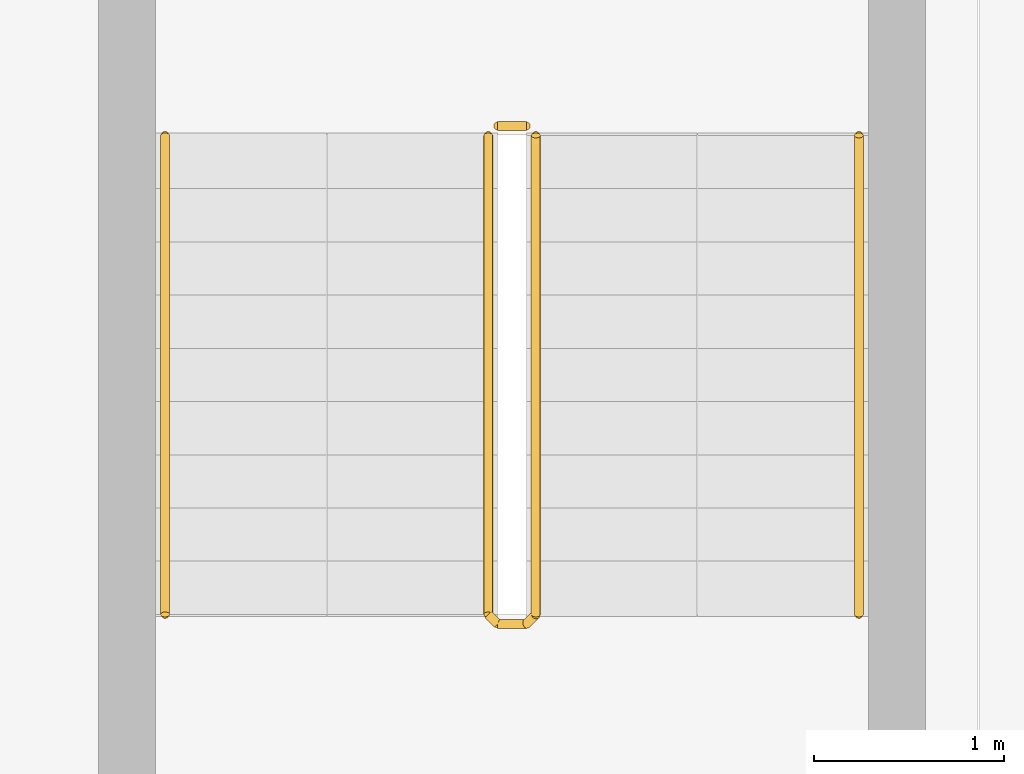
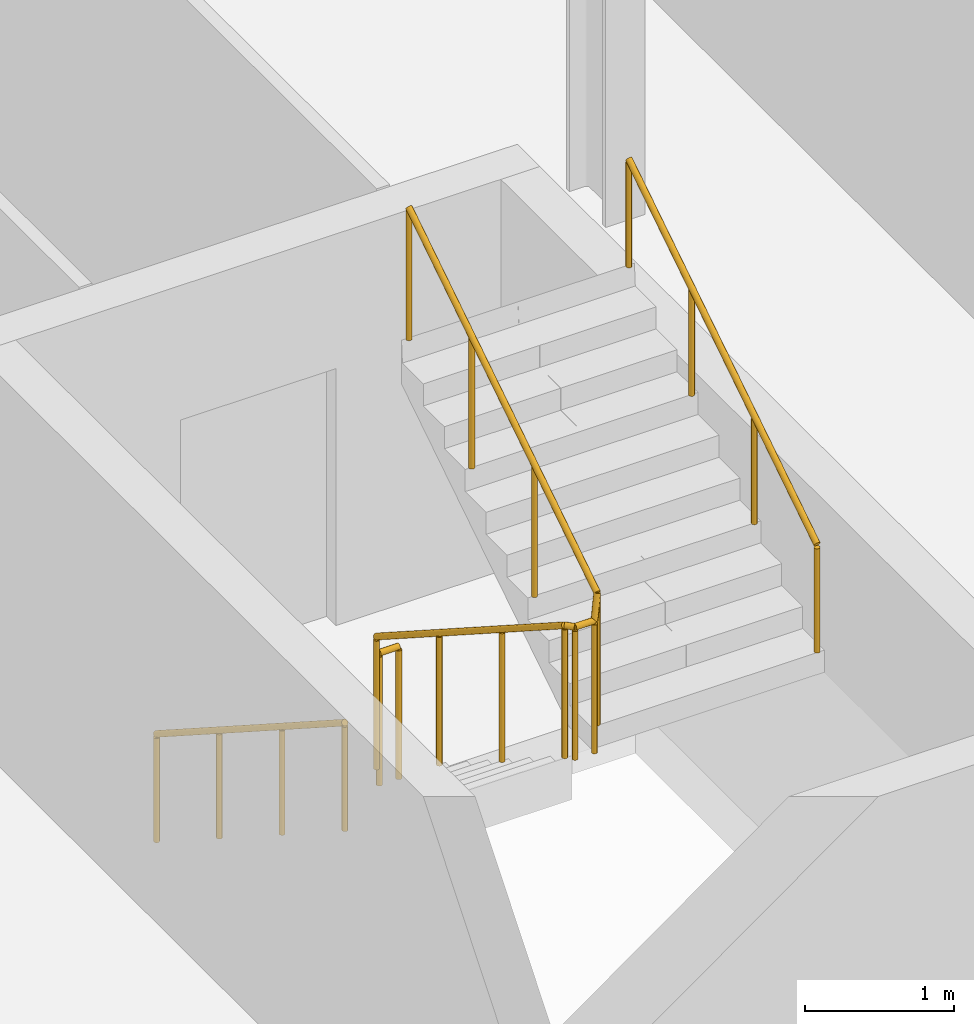
# One storey, part 23 of 25: 4 railings.
"""IFC4 building model written with IfcOpenShell, lengths in metres."""

import ifcopenshell
import ifcopenshell.guid

model = None  # the IFC model being written
_history = None  # IfcOwnerHistory: only IFC2X3 demands one
_inside = {}  # id of a spatial element -> (the spatial element, [elements in it])
_under = {}  # id of a project, library or spatial element -> (it, [spatial elements below it])
_declared = {}  # id of a project -> (the project, [libraries it declares])
_typed = {}  # id of a type object -> (the type object, [elements of that type])
_made_of = {}  # id of a material, layer set ... -> (it, [elements and type objects made of it])


def new_model(schema):
    """Start an empty IFC model of exactly this schema.

    Asked for "IFC4X3", IfcOpenShell would pick the latest addendum, in which some entities
    have other attributes; the version numbers below select the first issue.
    IFC2X3 requires an IfcOwnerHistory on every rooted entity: one is made here for all.
    """
    global model, _history
    if schema == "IFC4X3":
        model = ifcopenshell.file(schema_version=(4, 3, 0, 0))
    else:
        model = ifcopenshell.file(schema=schema)
    _inside.clear()
    _under.clear()
    _declared.clear()
    _typed.clear()
    _made_of.clear()
    _history = None
    if model.schema == "IFC2X3":
        org = make("IfcOrganization", Name="unknown")
        user = make(
            "IfcPersonAndOrganization",
            ThePerson=make("IfcPerson", FamilyName="unknown"),
            TheOrganization=org,
        )
        app = make(
            "IfcApplication",
            ApplicationDeveloper=org,
            Version="unknown",
            ApplicationFullName="unknown",
            ApplicationIdentifier="unknown",
        )
        _history = make(
            "IfcOwnerHistory",
            OwningUser=user,
            OwningApplication=app,
            ChangeAction="ADDED",
            CreationDate=0,
        )
    return model


def make(cls, **values):
    """One entity of the class cls with the attributes given. An attribute that is None is left unset."""
    return model.create_entity(
        cls, **{name: value for name, value in values.items() if value is not None}
    )


def rooted(cls, **values):
    """An entity with a GlobalId (a new one), such as an element, a storey or a relation."""
    return make(cls, GlobalId=ifcopenshell.guid.new(), OwnerHistory=_history, **values)


def si_unit(unit_type, name, prefix=None):
    """IfcSIUnit, for example si_unit("LENGTHUNIT", "METRE", prefix="MILLI")."""
    return make("IfcSIUnit", UnitType=unit_type, Prefix=prefix, Name=name)


def assignment(units):
    """IfcUnitAssignment: the units of a project."""
    return None if units is None else make("IfcUnitAssignment", Units=units)


def point(xyz):
    """IfcCartesianPoint."""
    return None if xyz is None else make("IfcCartesianPoint", Coordinates=xyz)


def direction(xyz):
    """IfcDirection."""
    return None if xyz is None else make("IfcDirection", DirectionRatios=xyz)


def frame(location, z_axis=None, x_axis=None):
    """IfcAxis2Placement3D, a coordinate frame: its origin and axes. An axis left out is left unset."""
    return make(
        "IfcAxis2Placement3D",
        Location=point(location),
        Axis=direction(z_axis),
        RefDirection=direction(x_axis),
    )


def frame_2d(location, x_axis=None):
    """IfcAxis2Placement2D, a coordinate frame in the plane: its origin and x axis."""
    return make(
        "IfcAxis2Placement2D", Location=point(location), RefDirection=direction(x_axis)
    )


def origin():
    """The frame at (0, 0, 0) with its axes left unset."""
    return frame((0.0, 0.0, 0.0))


def origin_2d():
    """The frame at (0, 0) in the plane with its x axis left unset."""
    return frame_2d((0.0, 0.0))


def place(relative_to, where):
    """IfcLocalPlacement: puts the frame where relative to a parent placement (None: the world)."""
    return make(
        "IfcLocalPlacement", PlacementRelTo=relative_to, RelativePlacement=where
    )


def context(
    kind, dimensions, precision=None, world=None, true_north=None, identifier=None
):
    """IfcGeometricRepresentationContext, for example the 3D "Model" context."""
    return make(
        "IfcGeometricRepresentationContext",
        ContextIdentifier=identifier,
        ContextType=kind,
        CoordinateSpaceDimension=dimensions,
        Precision=precision,
        WorldCoordinateSystem=world,
        TrueNorth=true_north,
    )


def subcontext(parent, identifier, kind, view, scale=None):
    """IfcGeometricRepresentationSubContext, for example "Body" below "Model"."""
    return make(
        "IfcGeometricRepresentationSubContext",
        ContextIdentifier=identifier,
        ContextType=kind,
        ParentContext=parent,
        TargetScale=scale,
        TargetView=view,
    )


def project(units=None, contexts=None):
    """IfcProject with its units and contexts."""
    return rooted(
        "IfcProject",
        Name="project",
        RepresentationContexts=contexts,
        UnitsInContext=assignment(units),
    )


def spatial(cls, under=None, at=None, **own):
    """A site, building, storey or space (cls), placed at a placement, below another one or the project."""
    s = rooted(cls, ObjectPlacement=at, **own)
    if under is not None:
        _under.setdefault(under.id(), (under, []))[1].append(s)
    return s


def profile(cls, at=None, kind="AREA", **sizes):
    """A parametric profile (cls). Its sizes go by their IFC names, for example OverallWidth=200.0."""
    return make(cls, ProfileType=kind, Position=at, **sizes)


def circle(**sizes):
    """IfcCircleProfileDef."""
    return profile("IfcCircleProfileDef", **sizes)


def extrude(swept, where, along, depth):
    """IfcExtrudedAreaSolid: the profile swept, set in the frame where, extruded along a direction by depth."""
    return make(
        "IfcExtrudedAreaSolid",
        SweptArea=swept,
        Position=where,
        ExtrudedDirection=direction(along),
        Depth=depth,
    )


def shape(context_of_items, identifier, shape_type, items):
    """IfcShapeRepresentation: the items that make up one representation, for example the "Body"."""
    return make(
        "IfcShapeRepresentation",
        ContextOfItems=context_of_items,
        RepresentationIdentifier=identifier,
        RepresentationType=shape_type,
        Items=items,
    )


def material(Name=None, Category=None):
    """IfcMaterial."""
    return make("IfcMaterial", Name=Name, Category=Category)


def made_of(thing, what):
    """Note that an element or type object is made of a material, layer set ...; save() writes the relation."""
    if what is not None:
        _made_of.setdefault(what.id(), (what, []))[1].append(thing)
    return thing


def type_object(cls, material=None, **own):
    """A type object (cls), such as IfcWallType, which elements share."""
    return made_of(rooted(cls, **own), material)


def element(
    cls,
    number,
    at=None,
    inside=None,
    cuts=None,
    type_object=None,
    material=None,
    context=None,
    identifier="Body",
    shape_type=None,
    held_by="IfcProductDefinitionShape",
    body=None,
    shapes=None,
    **own,
):
    """One element of the class cls, such as IfcWall. Its Tag is "e" and its number.

    at: its placement. inside: the storey or other place that contains it. cuts: it is an
    opening in that element (IfcRelVoidsElement). A single representation is given by context,
    identifier, shape_type and body (its items); several are given by shapes. held_by: the class
    of the entity that holds the representations. save() writes the other relations.
    """
    e = rooted(cls, Tag="e%d" % number, ObjectPlacement=at, **own)
    if body is not None:
        shapes = [shape(context, identifier, shape_type, body)]
    if shapes is not None:
        e.Representation = make(held_by, Representations=shapes)
    if inside is not None:
        _inside.setdefault(inside.id(), (inside, []))[1].append(e)
    if cuts is not None:
        rooted(
            "IfcRelVoidsElement", RelatingBuildingElement=cuts, RelatedOpeningElement=e
        )
    if type_object is not None:
        _typed.setdefault(type_object.id(), (type_object, []))[1].append(e)
    return made_of(e, material)


def aggregate(whole, parts):
    """IfcRelAggregates: a whole, such as a stair, and the parts it consists of."""
    return rooted("IfcRelAggregates", RelatingObject=whole, RelatedObjects=parts)


def save(model, path):
    """Write the relations noted so far, then the file.

    IfcRelAggregates (storeys below a building ...), IfcRelContainedInSpatialStructure (elements
    in a storey), IfcRelDefinesByType, IfcRelAssociatesMaterial and IfcRelDeclares: one each for
    every whole, place, type object, material and project.
    """
    for whole, parts in _under.values():
        aggregate(whole, parts)
    for where, things in _inside.values():
        rooted(
            "IfcRelContainedInSpatialStructure",
            RelatedElements=things,
            RelatingStructure=where,
        )
    for kind, things in _typed.values():
        rooted("IfcRelDefinesByType", RelatedObjects=things, RelatingType=kind)
    for what, things in _made_of.values():
        rooted("IfcRelAssociatesMaterial", RelatedObjects=things, RelatingMaterial=what)
    for by, libraries in _declared.values():
        rooted("IfcRelDeclares", RelatingContext=by, RelatedDefinitions=libraries)
    model.write(path)


model = new_model("IFC4")

# Units and contexts
model_context = context("Model", 3, precision=1e-05, world=origin(), true_north=direction((0.0, 1.0)))
body_context = subcontext(model_context, "Body", "Model", "MODEL_VIEW")
ifc_project = project(units=[si_unit("LENGTHUNIT", "METRE"), si_unit("AREAUNIT", "SQUARE_METRE"), si_unit("VOLUMEUNIT", "CUBIC_METRE"), si_unit("PLANEANGLEUNIT", "RADIAN"), si_unit("MASSUNIT", "GRAM", prefix="KILO")], contexts=[model_context])

# Site, building, storey
site_placement = place(None, origin())
site = spatial("IfcSite", under=ifc_project, at=site_placement, CompositionType="ELEMENT")
building_placement = place(site_placement, origin())
building = spatial("IfcBuilding", under=site, at=building_placement, Name="Wharfspan Tower", CompositionType="ELEMENT")
storey_placement = place(building_placement, frame((0.0, 0.0, 129.100098)))
storey = spatial("IfcBuildingStorey", under=building, at=storey_placement, Name="L30", CompositionType="ELEMENT", Elevation=129.100098)

# Railings
ifc_material = material(Name="Steel S355J2", Category="steel")
railing_type_1 = type_object("IfcRailingType", Name="Stair guard 1100", PredefinedType="GUARDRAIL", material=ifc_material)
railing_1_placement = place(storey_placement, frame((43.235352, 6.316895, 0.179932)))
element("IfcRailing", 1, at=railing_1_placement, inside=storey, type_object=railing_type_1, Name="L30 ST4 stair guard 1", PredefinedType="GUARDRAIL", context=body_context, shape_type="SweptSolid", body=[
    extrude(circle(Radius=0.023926, at=origin_2d()), frame((0.0, 0.0, 1.076172), z_axis=(0.0, -0.8412, 0.540725), x_axis=(1.0, 0.0, 0.0)), (0.0, 0.0, 1.0), 2.99585),
    extrude(circle(Radius=0.023926, at=origin_2d()), frame((0.0, -2.52002, 2.695801), z_axis=(0.707107, -0.707107, 0.0), x_axis=(0.707107, 0.707107, 0.0)), (0.0, 0.0, 1.0), 0.070312),
    extrude(circle(Radius=0.023926, at=origin_2d()), frame((0.049805, -2.569824, 2.695801), z_axis=(1.0, 0.0, 0.0), x_axis=(0.0, 1.0, 0.0)), (0.0, 0.0, 1.0), 0.150146),
    extrude(circle(Radius=0.023926, at=origin_2d()), frame((0.199951, -2.569824, 2.695801), z_axis=(0.258628, 0.257366, 0.931061), x_axis=(-0.705372, 0.708838, -2e-06)), (0.0, 0.0, 1.0), 0.193604),
    extrude(circle(Radius=0.023926, at=origin_2d()), frame((0.25, -2.52002, 2.875977), z_axis=(0.0, 0.8412, 0.540725), x_axis=(-1.0, 0.0, 0.0)), (0.0, 0.0, 1.0), 2.99585),
    extrude(circle(Radius=0.020996, at=origin_2d()), origin(), (0.0, 0.0, 1.0), 1.052002),
    extrude(circle(Radius=0.020996, at=origin_2d()), frame((0.0, -0.840088, 0.540039)), (0.0, 0.0, 1.0), 1.052002),
    extrude(circle(Radius=0.020996, at=origin_2d()), frame((0.0, -1.679932, 1.079834)), (0.0, 0.0, 1.0), 1.052002),
    extrude(circle(Radius=0.020996, at=origin_2d()), frame((0.0, -2.52002, 1.619873)), (0.0, 0.0, 1.0), 1.052002),
    extrude(circle(Radius=0.020996, at=origin_2d()), frame((0.049805, -2.569824, 1.619873)), (0.0, 0.0, 1.0), 1.052002),
    extrude(circle(Radius=0.020996, at=origin_2d()), frame((0.199951, -2.569824, 1.619873)), (0.0, 0.0, 1.0), 1.052002),
    extrude(circle(Radius=0.020996, at=origin_2d()), frame((0.25, -2.52002, 1.800049)), (0.0, 0.0, 1.0), 1.052002),
    extrude(circle(Radius=0.020996, at=origin_2d()), frame((0.25, -1.679932, 2.340088)), (0.0, 0.0, 1.0), 1.052002),
    extrude(circle(Radius=0.020996, at=origin_2d()), frame((0.25, -0.840088, 2.879883)), (0.0, 0.0, 1.0), 1.052002),
    extrude(circle(Radius=0.020996, at=origin_2d()), frame((0.25, 0.0, 3.419922)), (0.0, 0.0, 1.0), 1.052002),
])
railing_2_placement = place(storey_placement, frame((43.285156, 6.366943, 0.0)))
element("IfcRailing", 2, at=railing_2_placement, inside=storey, type_object=railing_type_1, Name="L30 ST4 stair guard 2", PredefinedType="GUARDRAIL", context=body_context, shape_type="SweptSolid", body=[
    extrude(circle(Radius=0.023926, at=origin_2d()), frame((0.0, 0.0, 1.076172), z_axis=(1.0, 0.0, 0.0), x_axis=(0.0, 1.0, 0.0)), (0.0, 0.0, 1.0), 0.150146),
    extrude(circle(Radius=0.020996, at=origin_2d()), origin(), (0.0, 0.0, 1.0), 1.052002),
    extrude(circle(Radius=0.020996, at=origin_2d()), frame((0.150146, 0.0, 0.0)), (0.0, 0.0, 1.0), 1.052002),
])
railing_type_2 = type_object("IfcRailingType", Name="Stair handrail 900", PredefinedType="HANDRAIL", material=ifc_material)
railing_3_placement = place(storey_placement, frame((41.535156, 6.316895, 0.179932)))
element("IfcRailing", 3, at=railing_3_placement, inside=storey, type_object=railing_type_2, Name="L30 ST4 stair handrail 1", PredefinedType="HANDRAIL", context=body_context, shape_type="SweptSolid", body=[
    extrude(circle(Radius=0.023926, at=origin_2d()), frame((0.0, 0.0, 0.875977), z_axis=(0.0, -0.8412, 0.540725), x_axis=(1.0, 0.0, 0.0)), (0.0, 0.0, 1.0), 2.99585),
    extrude(circle(Radius=0.020996, at=origin_2d()), origin(), (0.0, 0.0, 1.0), 0.851807),
    extrude(circle(Radius=0.020996, at=origin_2d()), frame((0.0, -0.840088, 0.540039)), (0.0, 0.0, 1.0), 0.851807),
    extrude(circle(Radius=0.020996, at=origin_2d()), frame((0.0, -1.679932, 1.079834)), (0.0, 0.0, 1.0), 0.851807),
    extrude(circle(Radius=0.020996, at=origin_2d()), frame((0.0, -2.52002, 1.619873)), (0.0, 0.0, 1.0), 0.851807),
])
railing_4_placement = place(storey_placement, frame((45.185303, 3.796875, 1.97998)))
element("IfcRailing", 4, at=railing_4_placement, inside=storey, type_object=railing_type_2, Name="L30 ST4 stair handrail 2", PredefinedType="HANDRAIL", context=body_context, shape_type="SweptSolid", body=[
    extrude(circle(Radius=0.023926, at=origin_2d()), frame((0.0, 0.0, 0.875977), z_axis=(0.0, 0.8412, 0.540725), x_axis=(-1.0, 0.0, 0.0)), (0.0, 0.0, 1.0), 2.99585),
    extrude(circle(Radius=0.020996, at=origin_2d()), origin(), (0.0, 0.0, 1.0), 0.851807),
    extrude(circle(Radius=0.020996, at=origin_2d()), frame((0.0, 0.840088, 0.540039)), (0.0, 0.0, 1.0), 0.851807),
    extrude(circle(Radius=0.020996, at=origin_2d()), frame((0.0, 1.679932, 1.079834)), (0.0, 0.0, 1.0), 0.851807),
    extrude(circle(Radius=0.020996, at=origin_2d()), frame((0.0, 2.52002, 1.619873)), (0.0, 0.0, 1.0), 0.851807),
])

save(model, "model.ifc")
